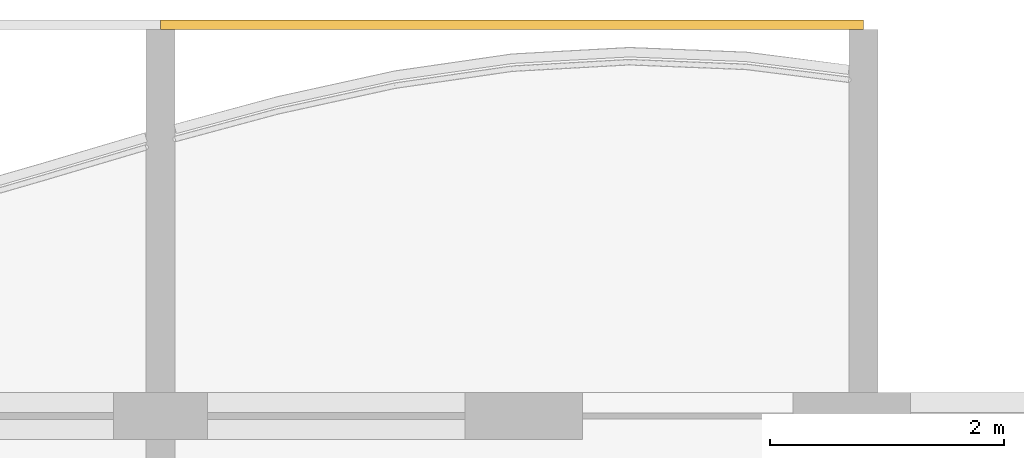
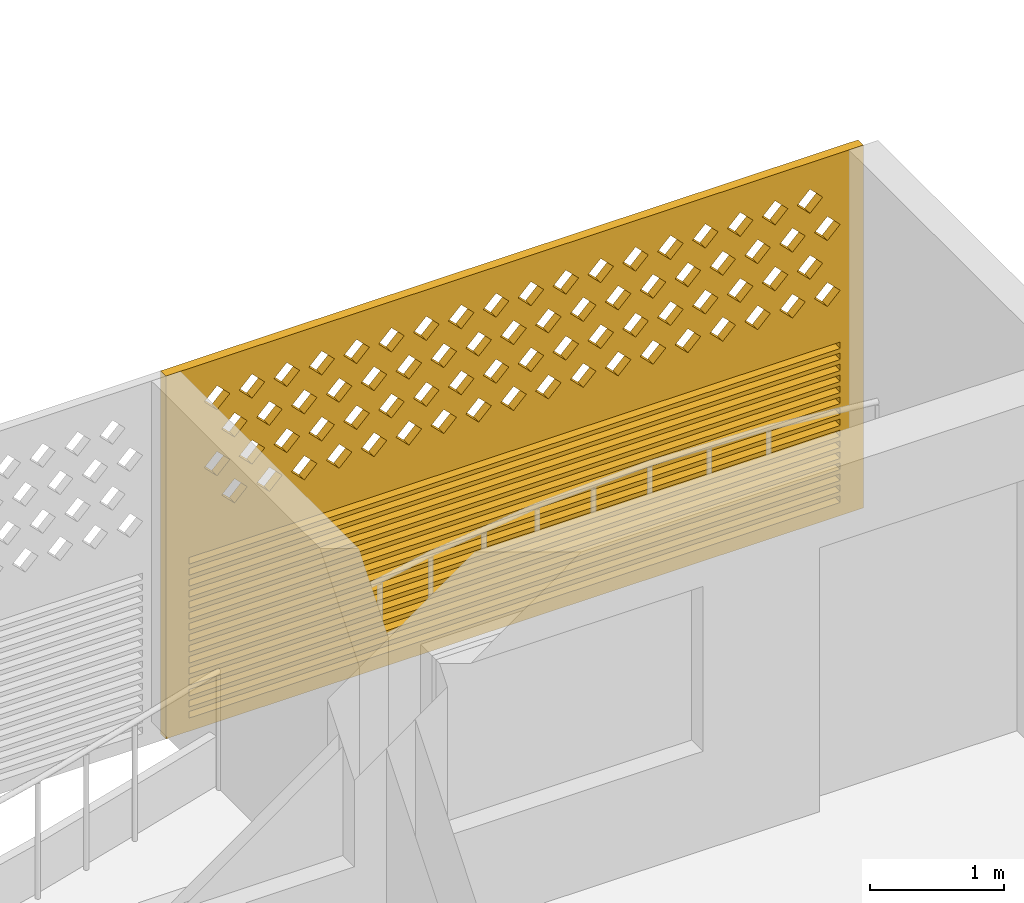
# One storey, part 18 of 26: 1 covering.
"""IFC4 building model written with IfcOpenShell, lengths in metres."""

from ifc_helpers import new_model, si_unit, direction, frame, origin, place, context, subcontext, project, spatial, polyline, outline, extrude, source, transform, mapped, material, material_profile, profile_set, type_object, element, save


model = new_model("IFC4")

# Units and contexts
model_context = context("Model", 3, precision=1e-05, world=origin(), true_north=direction((0.0, 1.0)))
body_context = subcontext(model_context, "Body", "Model", "MODEL_VIEW")
ifc_project = project(units=[si_unit("LENGTHUNIT", "METRE"), si_unit("AREAUNIT", "SQUARE_METRE"), si_unit("VOLUMEUNIT", "CUBIC_METRE"), si_unit("PLANEANGLEUNIT", "RADIAN"), si_unit("MASSUNIT", "GRAM", prefix="KILO")], contexts=[model_context])

# Site, building, storey
site_placement = place(None, origin())
site = spatial("IfcSite", under=ifc_project, at=site_placement, CompositionType="ELEMENT")
building_placement = place(site_placement, origin())
building = spatial("IfcBuilding", under=site, at=building_placement, Name="Poui Terraces", CompositionType="ELEMENT")
storey_placement = place(building_placement, frame((0.0, 0.0, 224.699951171875)))
storey = spatial("IfcBuildingStorey", under=building, at=storey_placement, Name="L62", CompositionType="ELEMENT", Elevation=224.699951171875)

# Covering
ifc_material = material(Name="Terracotta screen", Category="masonry")
ifc_material_profile = material_profile(ifc_material, outline(polyline([(-3.0, -1.64990234375), (3.0, -1.64990234375), (3.0, 1.64990234375), (-3.0, 1.64990234375), (-3.0, -1.64990234375)]), holes=[polyline([(-2.800048828125, 0.39990234375), (-2.68994140625, 0.2900390625), (-2.580078125, 0.39990234375), (-2.68994140625, 0.510009765625), (-2.800048828125, 0.39990234375)]), polyline([(-2.5, 0.39990234375), (-2.389892578125, 0.2900390625), (-2.280029296875, 0.39990234375), (-2.389892578125, 0.510009765625), (-2.5, 0.39990234375)]), polyline([(-2.199951171875, 0.39990234375), (-2.090087890625, 0.2900390625), (-1.97998046875, 0.39990234375), (-2.090087890625, 0.510009765625), (-2.199951171875, 0.39990234375)]), polyline([(-1.89990234375, 0.39990234375), (-1.7900390625, 0.2900390625), (-1.679931640625, 0.39990234375), (-1.7900390625, 0.510009765625), (-1.89990234375, 0.39990234375)]), polyline([(-1.60009765625, 0.39990234375), (-1.489990234375, 0.2900390625), (-1.3798828125, 0.39990234375), (-1.489990234375, 0.510009765625), (-1.60009765625, 0.39990234375)]), polyline([(-1.300048828125, 0.39990234375), (-1.18994140625, 0.2900390625), (-1.080078125, 0.39990234375), (-1.18994140625, 0.510009765625), (-1.300048828125, 0.39990234375)]), polyline([(-1.0, 0.39990234375), (-0.889892578125, 0.2900390625), (-0.780029296875, 0.39990234375), (-0.889892578125, 0.510009765625), (-1.0, 0.39990234375)]), polyline([(-0.699951171875, 0.39990234375), (-0.590087890625, 0.2900390625), (-0.47998046875, 0.39990234375), (-0.590087890625, 0.510009765625), (-0.699951171875, 0.39990234375)]), polyline([(-0.39990234375, 0.39990234375), (-0.2900390625, 0.2900390625), (-0.179931640625, 0.39990234375), (-0.2900390625, 0.510009765625), (-0.39990234375, 0.39990234375)]), polyline([(-0.10009765625, 0.39990234375), (0.010009765625, 0.2900390625), (0.1201171875, 0.39990234375), (0.010009765625, 0.510009765625), (-0.10009765625, 0.39990234375)]), polyline([(0.199951171875, 0.39990234375), (0.31005859375, 0.2900390625), (0.419921875, 0.39990234375), (0.31005859375, 0.510009765625), (0.199951171875, 0.39990234375)]), polyline([(0.5, 0.39990234375), (0.610107421875, 0.2900390625), (0.719970703125, 0.39990234375), (0.610107421875, 0.510009765625), (0.5, 0.39990234375)]), polyline([(0.800048828125, 0.39990234375), (0.909912109375, 0.2900390625), (1.02001953125, 0.39990234375), (0.909912109375, 0.510009765625), (0.800048828125, 0.39990234375)]), polyline([(1.10009765625, 0.39990234375), (1.2099609375, 0.2900390625), (1.320068359375, 0.39990234375), (1.2099609375, 0.510009765625), (1.10009765625, 0.39990234375)]), polyline([(1.39990234375, 0.39990234375), (1.510009765625, 0.2900390625), (1.6201171875, 0.39990234375), (1.510009765625, 0.510009765625), (1.39990234375, 0.39990234375)]), polyline([(1.699951171875, 0.39990234375), (1.81005859375, 0.2900390625), (1.919921875, 0.39990234375), (1.81005859375, 0.510009765625), (1.699951171875, 0.39990234375)]), polyline([(2.0, 0.39990234375), (2.110107421875, 0.2900390625), (2.219970703125, 0.39990234375), (2.110107421875, 0.510009765625), (2.0, 0.39990234375)]), polyline([(2.300048828125, 0.39990234375), (2.409912109375, 0.2900390625), (2.52001953125, 0.39990234375), (2.409912109375, 0.510009765625), (2.300048828125, 0.39990234375)]), polyline([(-2.64990234375, 0.699951171875), (-2.5400390625, 0.590087890625), (-2.429931640625, 0.699951171875), (-2.5400390625, 0.81005859375), (-2.64990234375, 0.699951171875)]), polyline([(-2.35009765625, 0.699951171875), (-2.239990234375, 0.590087890625), (-2.1298828125, 0.699951171875), (-2.239990234375, 0.81005859375), (-2.35009765625, 0.699951171875)]), polyline([(-2.050048828125, 0.699951171875), (-1.93994140625, 0.590087890625), (-1.830078125, 0.699951171875), (-1.93994140625, 0.81005859375), (-2.050048828125, 0.699951171875)]), polyline([(-1.75, 0.699951171875), (-1.639892578125, 0.590087890625), (-1.530029296875, 0.699951171875), (-1.639892578125, 0.81005859375), (-1.75, 0.699951171875)]), polyline([(-1.449951171875, 0.699951171875), (-1.340087890625, 0.590087890625), (-1.22998046875, 0.699951171875), (-1.340087890625, 0.81005859375), (-1.449951171875, 0.699951171875)]), polyline([(-1.14990234375, 0.699951171875), (-1.0400390625, 0.590087890625), (-0.929931640625, 0.699951171875), (-1.0400390625, 0.81005859375), (-1.14990234375, 0.699951171875)]), polyline([(-0.85009765625, 0.699951171875), (-0.739990234375, 0.590087890625), (-0.6298828125, 0.699951171875), (-0.739990234375, 0.81005859375), (-0.85009765625, 0.699951171875)]), polyline([(-0.550048828125, 0.699951171875), (-0.43994140625, 0.590087890625), (-0.330078125, 0.699951171875), (-0.43994140625, 0.81005859375), (-0.550048828125, 0.699951171875)]), polyline([(-0.25, 0.699951171875), (-0.139892578125, 0.590087890625), (-0.030029296875, 0.699951171875), (-0.139892578125, 0.81005859375), (-0.25, 0.699951171875)]), polyline([(0.050048828125, 0.699951171875), (0.159912109375, 0.590087890625), (0.27001953125, 0.699951171875), (0.159912109375, 0.81005859375), (0.050048828125, 0.699951171875)]), polyline([(0.35009765625, 0.699951171875), (0.4599609375, 0.590087890625), (0.570068359375, 0.699951171875), (0.4599609375, 0.81005859375), (0.35009765625, 0.699951171875)]), polyline([(0.64990234375, 0.699951171875), (0.760009765625, 0.590087890625), (0.8701171875, 0.699951171875), (0.760009765625, 0.81005859375), (0.64990234375, 0.699951171875)]), polyline([(0.949951171875, 0.699951171875), (1.06005859375, 0.590087890625), (1.169921875, 0.699951171875), (1.06005859375, 0.81005859375), (0.949951171875, 0.699951171875)]), polyline([(1.25, 0.699951171875), (1.360107421875, 0.590087890625), (1.469970703125, 0.699951171875), (1.360107421875, 0.81005859375), (1.25, 0.699951171875)]), polyline([(1.550048828125, 0.699951171875), (1.659912109375, 0.590087890625), (1.77001953125, 0.699951171875), (1.659912109375, 0.81005859375), (1.550048828125, 0.699951171875)]), polyline([(1.85009765625, 0.699951171875), (1.9599609375, 0.590087890625), (2.070068359375, 0.699951171875), (1.9599609375, 0.81005859375), (1.85009765625, 0.699951171875)]), polyline([(2.14990234375, 0.699951171875), (2.260009765625, 0.590087890625), (2.3701171875, 0.699951171875), (2.260009765625, 0.81005859375), (2.14990234375, 0.699951171875)]), polyline([(2.449951171875, 0.699951171875), (2.56005859375, 0.590087890625), (2.669921875, 0.699951171875), (2.56005859375, 0.81005859375), (2.449951171875, 0.699951171875)]), polyline([(-2.800048828125, 1.0), (-2.68994140625, 0.889892578125), (-2.580078125, 1.0), (-2.68994140625, 1.110107421875), (-2.800048828125, 1.0)]), polyline([(-2.5, 1.0), (-2.389892578125, 0.889892578125), (-2.280029296875, 1.0), (-2.389892578125, 1.110107421875), (-2.5, 1.0)]), polyline([(-2.199951171875, 1.0), (-2.090087890625, 0.889892578125), (-1.97998046875, 1.0), (-2.090087890625, 1.110107421875), (-2.199951171875, 1.0)]), polyline([(-1.89990234375, 1.0), (-1.7900390625, 0.889892578125), (-1.679931640625, 1.0), (-1.7900390625, 1.110107421875), (-1.89990234375, 1.0)]), polyline([(-1.60009765625, 1.0), (-1.489990234375, 0.889892578125), (-1.3798828125, 1.0), (-1.489990234375, 1.110107421875), (-1.60009765625, 1.0)]), polyline([(-1.300048828125, 1.0), (-1.18994140625, 0.889892578125), (-1.080078125, 1.0), (-1.18994140625, 1.110107421875), (-1.300048828125, 1.0)]), polyline([(-1.0, 1.0), (-0.889892578125, 0.889892578125), (-0.780029296875, 1.0), (-0.889892578125, 1.110107421875), (-1.0, 1.0)]), polyline([(-0.699951171875, 1.0), (-0.590087890625, 0.889892578125), (-0.47998046875, 1.0), (-0.590087890625, 1.110107421875), (-0.699951171875, 1.0)]), polyline([(-0.39990234375, 1.0), (-0.2900390625, 0.889892578125), (-0.179931640625, 1.0), (-0.2900390625, 1.110107421875), (-0.39990234375, 1.0)]), polyline([(-0.10009765625, 1.0), (0.010009765625, 0.889892578125), (0.1201171875, 1.0), (0.010009765625, 1.110107421875), (-0.10009765625, 1.0)]), polyline([(0.199951171875, 1.0), (0.31005859375, 0.889892578125), (0.419921875, 1.0), (0.31005859375, 1.110107421875), (0.199951171875, 1.0)]), polyline([(0.5, 1.0), (0.610107421875, 0.889892578125), (0.719970703125, 1.0), (0.610107421875, 1.110107421875), (0.5, 1.0)]), polyline([(0.800048828125, 1.0), (0.909912109375, 0.889892578125), (1.02001953125, 1.0), (0.909912109375, 1.110107421875), (0.800048828125, 1.0)]), polyline([(1.10009765625, 1.0), (1.2099609375, 0.889892578125), (1.320068359375, 1.0), (1.2099609375, 1.110107421875), (1.10009765625, 1.0)]), polyline([(1.39990234375, 1.0), (1.510009765625, 0.889892578125), (1.6201171875, 1.0), (1.510009765625, 1.110107421875), (1.39990234375, 1.0)]), polyline([(1.699951171875, 1.0), (1.81005859375, 0.889892578125), (1.919921875, 1.0), (1.81005859375, 1.110107421875), (1.699951171875, 1.0)]), polyline([(2.0, 1.0), (2.110107421875, 0.889892578125), (2.219970703125, 1.0), (2.110107421875, 1.110107421875), (2.0, 1.0)]), polyline([(2.300048828125, 1.0), (2.409912109375, 0.889892578125), (2.52001953125, 1.0), (2.409912109375, 1.110107421875), (2.300048828125, 1.0)]), polyline([(-2.64990234375, 1.300048828125), (-2.5400390625, 1.18994140625), (-2.429931640625, 1.300048828125), (-2.5400390625, 1.409912109375), (-2.64990234375, 1.300048828125)]), polyline([(-2.35009765625, 1.300048828125), (-2.239990234375, 1.18994140625), (-2.1298828125, 1.300048828125), (-2.239990234375, 1.409912109375), (-2.35009765625, 1.300048828125)]), polyline([(-2.050048828125, 1.300048828125), (-1.93994140625, 1.18994140625), (-1.830078125, 1.300048828125), (-1.93994140625, 1.409912109375), (-2.050048828125, 1.300048828125)]), polyline([(-1.75, 1.300048828125), (-1.639892578125, 1.18994140625), (-1.530029296875, 1.300048828125), (-1.639892578125, 1.409912109375), (-1.75, 1.300048828125)]), polyline([(-1.449951171875, 1.300048828125), (-1.340087890625, 1.18994140625), (-1.22998046875, 1.300048828125), (-1.340087890625, 1.409912109375), (-1.449951171875, 1.300048828125)]), polyline([(-1.14990234375, 1.300048828125), (-1.0400390625, 1.18994140625), (-0.929931640625, 1.300048828125), (-1.0400390625, 1.409912109375), (-1.14990234375, 1.300048828125)]), polyline([(-0.85009765625, 1.300048828125), (-0.739990234375, 1.18994140625), (-0.6298828125, 1.300048828125), (-0.739990234375, 1.409912109375), (-0.85009765625, 1.300048828125)]), polyline([(-0.550048828125, 1.300048828125), (-0.43994140625, 1.18994140625), (-0.330078125, 1.300048828125), (-0.43994140625, 1.409912109375), (-0.550048828125, 1.300048828125)]), polyline([(-0.25, 1.300048828125), (-0.139892578125, 1.18994140625), (-0.030029296875, 1.300048828125), (-0.139892578125, 1.409912109375), (-0.25, 1.300048828125)]), polyline([(0.050048828125, 1.300048828125), (0.159912109375, 1.18994140625), (0.27001953125, 1.300048828125), (0.159912109375, 1.409912109375), (0.050048828125, 1.300048828125)]), polyline([(0.35009765625, 1.300048828125), (0.4599609375, 1.18994140625), (0.570068359375, 1.300048828125), (0.4599609375, 1.409912109375), (0.35009765625, 1.300048828125)]), polyline([(0.64990234375, 1.300048828125), (0.760009765625, 1.18994140625), (0.8701171875, 1.300048828125), (0.760009765625, 1.409912109375), (0.64990234375, 1.300048828125)]), polyline([(0.949951171875, 1.300048828125), (1.06005859375, 1.18994140625), (1.169921875, 1.300048828125), (1.06005859375, 1.409912109375), (0.949951171875, 1.300048828125)]), polyline([(1.25, 1.300048828125), (1.360107421875, 1.18994140625), (1.469970703125, 1.300048828125), (1.360107421875, 1.409912109375), (1.25, 1.300048828125)]), polyline([(1.550048828125, 1.300048828125), (1.659912109375, 1.18994140625), (1.77001953125, 1.300048828125), (1.659912109375, 1.409912109375), (1.550048828125, 1.300048828125)]), polyline([(1.85009765625, 1.300048828125), (1.9599609375, 1.18994140625), (2.070068359375, 1.300048828125), (1.9599609375, 1.409912109375), (1.85009765625, 1.300048828125)]), polyline([(2.14990234375, 1.300048828125), (2.260009765625, 1.18994140625), (2.3701171875, 1.300048828125), (2.260009765625, 1.409912109375), (2.14990234375, 1.300048828125)]), polyline([(2.449951171875, 1.300048828125), (2.56005859375, 1.18994140625), (2.669921875, 1.300048828125), (2.56005859375, 1.409912109375), (2.449951171875, 1.300048828125)]), polyline([(-2.800048828125, -1.530029296875), (2.800048828125, -1.530029296875), (2.800048828125, -1.469970703125), (-2.800048828125, -1.469970703125), (-2.800048828125, -1.530029296875)]), polyline([(-2.800048828125, -1.429931640625), (2.800048828125, -1.429931640625), (2.800048828125, -1.3701171875), (-2.800048828125, -1.3701171875), (-2.800048828125, -1.429931640625)]), polyline([(-2.800048828125, -1.330078125), (2.800048828125, -1.330078125), (2.800048828125, -1.27001953125), (-2.800048828125, -1.27001953125), (-2.800048828125, -1.330078125)]), polyline([(-2.800048828125, -1.22998046875), (2.800048828125, -1.22998046875), (2.800048828125, -1.169921875), (-2.800048828125, -1.169921875), (-2.800048828125, -1.22998046875)]), polyline([(-2.800048828125, -1.1298828125), (2.800048828125, -1.1298828125), (2.800048828125, -1.070068359375), (-2.800048828125, -1.070068359375), (-2.800048828125, -1.1298828125)]), polyline([(-2.800048828125, -1.030029296875), (2.800048828125, -1.030029296875), (2.800048828125, -0.969970703125), (-2.800048828125, -0.969970703125), (-2.800048828125, -1.030029296875)]), polyline([(-2.800048828125, -0.929931640625), (2.800048828125, -0.929931640625), (2.800048828125, -0.8701171875), (-2.800048828125, -0.8701171875), (-2.800048828125, -0.929931640625)]), polyline([(-2.800048828125, -0.830078125), (2.800048828125, -0.830078125), (2.800048828125, -0.77001953125), (-2.800048828125, -0.77001953125), (-2.800048828125, -0.830078125)]), polyline([(-2.800048828125, -0.72998046875), (2.800048828125, -0.72998046875), (2.800048828125, -0.669921875), (-2.800048828125, -0.669921875), (-2.800048828125, -0.72998046875)]), polyline([(-2.800048828125, -0.6298828125), (2.800048828125, -0.6298828125), (2.800048828125, -0.570068359375), (-2.800048828125, -0.570068359375), (-2.800048828125, -0.6298828125)]), polyline([(-2.800048828125, -0.530029296875), (2.800048828125, -0.530029296875), (2.800048828125, -0.469970703125), (-2.800048828125, -0.469970703125), (-2.800048828125, -0.530029296875)]), polyline([(-2.800048828125, -0.429931640625), (2.800048828125, -0.429931640625), (2.800048828125, -0.3701171875), (-2.800048828125, -0.3701171875), (-2.800048828125, -0.429931640625)]), polyline([(-2.800048828125, -0.330078125), (2.800048828125, -0.330078125), (2.800048828125, -0.27001953125), (-2.800048828125, -0.27001953125), (-2.800048828125, -0.330078125)]), polyline([(-2.800048828125, -0.22998046875), (2.800048828125, -0.22998046875), (2.800048828125, -0.169921875), (-2.800048828125, -0.169921875), (-2.800048828125, -0.22998046875)]), polyline([(-2.800048828125, -0.1298828125), (2.800048828125, -0.1298828125), (2.800048828125, -0.070068359375), (-2.800048828125, -0.070068359375), (-2.800048828125, -0.1298828125)])]), Name="TERRACOTTA SCREEN AND JALOUSIE LOUVRE 6000X3300")
ifc_profile_set = profile_set([ifc_material_profile], Name="Terracotta screen")
covering_type = type_object("IfcCoveringType", Name="TERRACOTTA SCREEN AND JALOUSIE LOUVRE 6000X3300", PredefinedType="CLADDING", material=ifc_profile_set)
shared_shape = source(origin(), body_context, "Body", "SweptSolid", [
    extrude(outline(polyline([(-3.0, -1.64990234375), (3.0, -1.64990234375), (3.0, 1.64990234375), (-3.0, 1.64990234375), (-3.0, -1.64990234375)]), holes=[polyline([(-2.800048828125, 0.39990234375), (-2.68994140625, 0.2900390625), (-2.580078125, 0.39990234375), (-2.68994140625, 0.510009765625), (-2.800048828125, 0.39990234375)]), polyline([(-2.5, 0.39990234375), (-2.389892578125, 0.2900390625), (-2.280029296875, 0.39990234375), (-2.389892578125, 0.510009765625), (-2.5, 0.39990234375)]), polyline([(-2.199951171875, 0.39990234375), (-2.090087890625, 0.2900390625), (-1.97998046875, 0.39990234375), (-2.090087890625, 0.510009765625), (-2.199951171875, 0.39990234375)]), polyline([(-1.89990234375, 0.39990234375), (-1.7900390625, 0.2900390625), (-1.679931640625, 0.39990234375), (-1.7900390625, 0.510009765625), (-1.89990234375, 0.39990234375)]), polyline([(-1.60009765625, 0.39990234375), (-1.489990234375, 0.2900390625), (-1.3798828125, 0.39990234375), (-1.489990234375, 0.510009765625), (-1.60009765625, 0.39990234375)]), polyline([(-1.300048828125, 0.39990234375), (-1.18994140625, 0.2900390625), (-1.080078125, 0.39990234375), (-1.18994140625, 0.510009765625), (-1.300048828125, 0.39990234375)]), polyline([(-1.0, 0.39990234375), (-0.889892578125, 0.2900390625), (-0.780029296875, 0.39990234375), (-0.889892578125, 0.510009765625), (-1.0, 0.39990234375)]), polyline([(-0.699951171875, 0.39990234375), (-0.590087890625, 0.2900390625), (-0.47998046875, 0.39990234375), (-0.590087890625, 0.510009765625), (-0.699951171875, 0.39990234375)]), polyline([(-0.39990234375, 0.39990234375), (-0.2900390625, 0.2900390625), (-0.179931640625, 0.39990234375), (-0.2900390625, 0.510009765625), (-0.39990234375, 0.39990234375)]), polyline([(-0.10009765625, 0.39990234375), (0.010009765625, 0.2900390625), (0.1201171875, 0.39990234375), (0.010009765625, 0.510009765625), (-0.10009765625, 0.39990234375)]), polyline([(0.199951171875, 0.39990234375), (0.31005859375, 0.2900390625), (0.419921875, 0.39990234375), (0.31005859375, 0.510009765625), (0.199951171875, 0.39990234375)]), polyline([(0.5, 0.39990234375), (0.610107421875, 0.2900390625), (0.719970703125, 0.39990234375), (0.610107421875, 0.510009765625), (0.5, 0.39990234375)]), polyline([(0.800048828125, 0.39990234375), (0.909912109375, 0.2900390625), (1.02001953125, 0.39990234375), (0.909912109375, 0.510009765625), (0.800048828125, 0.39990234375)]), polyline([(1.10009765625, 0.39990234375), (1.2099609375, 0.2900390625), (1.320068359375, 0.39990234375), (1.2099609375, 0.510009765625), (1.10009765625, 0.39990234375)]), polyline([(1.39990234375, 0.39990234375), (1.510009765625, 0.2900390625), (1.6201171875, 0.39990234375), (1.510009765625, 0.510009765625), (1.39990234375, 0.39990234375)]), polyline([(1.699951171875, 0.39990234375), (1.81005859375, 0.2900390625), (1.919921875, 0.39990234375), (1.81005859375, 0.510009765625), (1.699951171875, 0.39990234375)]), polyline([(2.0, 0.39990234375), (2.110107421875, 0.2900390625), (2.219970703125, 0.39990234375), (2.110107421875, 0.510009765625), (2.0, 0.39990234375)]), polyline([(2.300048828125, 0.39990234375), (2.409912109375, 0.2900390625), (2.52001953125, 0.39990234375), (2.409912109375, 0.510009765625), (2.300048828125, 0.39990234375)]), polyline([(-2.64990234375, 0.699951171875), (-2.5400390625, 0.590087890625), (-2.429931640625, 0.699951171875), (-2.5400390625, 0.81005859375), (-2.64990234375, 0.699951171875)]), polyline([(-2.35009765625, 0.699951171875), (-2.239990234375, 0.590087890625), (-2.1298828125, 0.699951171875), (-2.239990234375, 0.81005859375), (-2.35009765625, 0.699951171875)]), polyline([(-2.050048828125, 0.699951171875), (-1.93994140625, 0.590087890625), (-1.830078125, 0.699951171875), (-1.93994140625, 0.81005859375), (-2.050048828125, 0.699951171875)]), polyline([(-1.75, 0.699951171875), (-1.639892578125, 0.590087890625), (-1.530029296875, 0.699951171875), (-1.639892578125, 0.81005859375), (-1.75, 0.699951171875)]), polyline([(-1.449951171875, 0.699951171875), (-1.340087890625, 0.590087890625), (-1.22998046875, 0.699951171875), (-1.340087890625, 0.81005859375), (-1.449951171875, 0.699951171875)]), polyline([(-1.14990234375, 0.699951171875), (-1.0400390625, 0.590087890625), (-0.929931640625, 0.699951171875), (-1.0400390625, 0.81005859375), (-1.14990234375, 0.699951171875)]), polyline([(-0.85009765625, 0.699951171875), (-0.739990234375, 0.590087890625), (-0.6298828125, 0.699951171875), (-0.739990234375, 0.81005859375), (-0.85009765625, 0.699951171875)]), polyline([(-0.550048828125, 0.699951171875), (-0.43994140625, 0.590087890625), (-0.330078125, 0.699951171875), (-0.43994140625, 0.81005859375), (-0.550048828125, 0.699951171875)]), polyline([(-0.25, 0.699951171875), (-0.139892578125, 0.590087890625), (-0.030029296875, 0.699951171875), (-0.139892578125, 0.81005859375), (-0.25, 0.699951171875)]), polyline([(0.050048828125, 0.699951171875), (0.159912109375, 0.590087890625), (0.27001953125, 0.699951171875), (0.159912109375, 0.81005859375), (0.050048828125, 0.699951171875)]), polyline([(0.35009765625, 0.699951171875), (0.4599609375, 0.590087890625), (0.570068359375, 0.699951171875), (0.4599609375, 0.81005859375), (0.35009765625, 0.699951171875)]), polyline([(0.64990234375, 0.699951171875), (0.760009765625, 0.590087890625), (0.8701171875, 0.699951171875), (0.760009765625, 0.81005859375), (0.64990234375, 0.699951171875)]), polyline([(0.949951171875, 0.699951171875), (1.06005859375, 0.590087890625), (1.169921875, 0.699951171875), (1.06005859375, 0.81005859375), (0.949951171875, 0.699951171875)]), polyline([(1.25, 0.699951171875), (1.360107421875, 0.590087890625), (1.469970703125, 0.699951171875), (1.360107421875, 0.81005859375), (1.25, 0.699951171875)]), polyline([(1.550048828125, 0.699951171875), (1.659912109375, 0.590087890625), (1.77001953125, 0.699951171875), (1.659912109375, 0.81005859375), (1.550048828125, 0.699951171875)]), polyline([(1.85009765625, 0.699951171875), (1.9599609375, 0.590087890625), (2.070068359375, 0.699951171875), (1.9599609375, 0.81005859375), (1.85009765625, 0.699951171875)]), polyline([(2.14990234375, 0.699951171875), (2.260009765625, 0.590087890625), (2.3701171875, 0.699951171875), (2.260009765625, 0.81005859375), (2.14990234375, 0.699951171875)]), polyline([(2.449951171875, 0.699951171875), (2.56005859375, 0.590087890625), (2.669921875, 0.699951171875), (2.56005859375, 0.81005859375), (2.449951171875, 0.699951171875)]), polyline([(-2.800048828125, 1.0), (-2.68994140625, 0.889892578125), (-2.580078125, 1.0), (-2.68994140625, 1.110107421875), (-2.800048828125, 1.0)]), polyline([(-2.5, 1.0), (-2.389892578125, 0.889892578125), (-2.280029296875, 1.0), (-2.389892578125, 1.110107421875), (-2.5, 1.0)]), polyline([(-2.199951171875, 1.0), (-2.090087890625, 0.889892578125), (-1.97998046875, 1.0), (-2.090087890625, 1.110107421875), (-2.199951171875, 1.0)]), polyline([(-1.89990234375, 1.0), (-1.7900390625, 0.889892578125), (-1.679931640625, 1.0), (-1.7900390625, 1.110107421875), (-1.89990234375, 1.0)]), polyline([(-1.60009765625, 1.0), (-1.489990234375, 0.889892578125), (-1.3798828125, 1.0), (-1.489990234375, 1.110107421875), (-1.60009765625, 1.0)]), polyline([(-1.300048828125, 1.0), (-1.18994140625, 0.889892578125), (-1.080078125, 1.0), (-1.18994140625, 1.110107421875), (-1.300048828125, 1.0)]), polyline([(-1.0, 1.0), (-0.889892578125, 0.889892578125), (-0.780029296875, 1.0), (-0.889892578125, 1.110107421875), (-1.0, 1.0)]), polyline([(-0.699951171875, 1.0), (-0.590087890625, 0.889892578125), (-0.47998046875, 1.0), (-0.590087890625, 1.110107421875), (-0.699951171875, 1.0)]), polyline([(-0.39990234375, 1.0), (-0.2900390625, 0.889892578125), (-0.179931640625, 1.0), (-0.2900390625, 1.110107421875), (-0.39990234375, 1.0)]), polyline([(-0.10009765625, 1.0), (0.010009765625, 0.889892578125), (0.1201171875, 1.0), (0.010009765625, 1.110107421875), (-0.10009765625, 1.0)]), polyline([(0.199951171875, 1.0), (0.31005859375, 0.889892578125), (0.419921875, 1.0), (0.31005859375, 1.110107421875), (0.199951171875, 1.0)]), polyline([(0.5, 1.0), (0.610107421875, 0.889892578125), (0.719970703125, 1.0), (0.610107421875, 1.110107421875), (0.5, 1.0)]), polyline([(0.800048828125, 1.0), (0.909912109375, 0.889892578125), (1.02001953125, 1.0), (0.909912109375, 1.110107421875), (0.800048828125, 1.0)]), polyline([(1.10009765625, 1.0), (1.2099609375, 0.889892578125), (1.320068359375, 1.0), (1.2099609375, 1.110107421875), (1.10009765625, 1.0)]), polyline([(1.39990234375, 1.0), (1.510009765625, 0.889892578125), (1.6201171875, 1.0), (1.510009765625, 1.110107421875), (1.39990234375, 1.0)]), polyline([(1.699951171875, 1.0), (1.81005859375, 0.889892578125), (1.919921875, 1.0), (1.81005859375, 1.110107421875), (1.699951171875, 1.0)]), polyline([(2.0, 1.0), (2.110107421875, 0.889892578125), (2.219970703125, 1.0), (2.110107421875, 1.110107421875), (2.0, 1.0)]), polyline([(2.300048828125, 1.0), (2.409912109375, 0.889892578125), (2.52001953125, 1.0), (2.409912109375, 1.110107421875), (2.300048828125, 1.0)]), polyline([(-2.64990234375, 1.300048828125), (-2.5400390625, 1.18994140625), (-2.429931640625, 1.300048828125), (-2.5400390625, 1.409912109375), (-2.64990234375, 1.300048828125)]), polyline([(-2.35009765625, 1.300048828125), (-2.239990234375, 1.18994140625), (-2.1298828125, 1.300048828125), (-2.239990234375, 1.409912109375), (-2.35009765625, 1.300048828125)]), polyline([(-2.050048828125, 1.300048828125), (-1.93994140625, 1.18994140625), (-1.830078125, 1.300048828125), (-1.93994140625, 1.409912109375), (-2.050048828125, 1.300048828125)]), polyline([(-1.75, 1.300048828125), (-1.639892578125, 1.18994140625), (-1.530029296875, 1.300048828125), (-1.639892578125, 1.409912109375), (-1.75, 1.300048828125)]), polyline([(-1.449951171875, 1.300048828125), (-1.340087890625, 1.18994140625), (-1.22998046875, 1.300048828125), (-1.340087890625, 1.409912109375), (-1.449951171875, 1.300048828125)]), polyline([(-1.14990234375, 1.300048828125), (-1.0400390625, 1.18994140625), (-0.929931640625, 1.300048828125), (-1.0400390625, 1.409912109375), (-1.14990234375, 1.300048828125)]), polyline([(-0.85009765625, 1.300048828125), (-0.739990234375, 1.18994140625), (-0.6298828125, 1.300048828125), (-0.739990234375, 1.409912109375), (-0.85009765625, 1.300048828125)]), polyline([(-0.550048828125, 1.300048828125), (-0.43994140625, 1.18994140625), (-0.330078125, 1.300048828125), (-0.43994140625, 1.409912109375), (-0.550048828125, 1.300048828125)]), polyline([(-0.25, 1.300048828125), (-0.139892578125, 1.18994140625), (-0.030029296875, 1.300048828125), (-0.139892578125, 1.409912109375), (-0.25, 1.300048828125)]), polyline([(0.050048828125, 1.300048828125), (0.159912109375, 1.18994140625), (0.27001953125, 1.300048828125), (0.159912109375, 1.409912109375), (0.050048828125, 1.300048828125)]), polyline([(0.35009765625, 1.300048828125), (0.4599609375, 1.18994140625), (0.570068359375, 1.300048828125), (0.4599609375, 1.409912109375), (0.35009765625, 1.300048828125)]), polyline([(0.64990234375, 1.300048828125), (0.760009765625, 1.18994140625), (0.8701171875, 1.300048828125), (0.760009765625, 1.409912109375), (0.64990234375, 1.300048828125)]), polyline([(0.949951171875, 1.300048828125), (1.06005859375, 1.18994140625), (1.169921875, 1.300048828125), (1.06005859375, 1.409912109375), (0.949951171875, 1.300048828125)]), polyline([(1.25, 1.300048828125), (1.360107421875, 1.18994140625), (1.469970703125, 1.300048828125), (1.360107421875, 1.409912109375), (1.25, 1.300048828125)]), polyline([(1.550048828125, 1.300048828125), (1.659912109375, 1.18994140625), (1.77001953125, 1.300048828125), (1.659912109375, 1.409912109375), (1.550048828125, 1.300048828125)]), polyline([(1.85009765625, 1.300048828125), (1.9599609375, 1.18994140625), (2.070068359375, 1.300048828125), (1.9599609375, 1.409912109375), (1.85009765625, 1.300048828125)]), polyline([(2.14990234375, 1.300048828125), (2.260009765625, 1.18994140625), (2.3701171875, 1.300048828125), (2.260009765625, 1.409912109375), (2.14990234375, 1.300048828125)]), polyline([(2.449951171875, 1.300048828125), (2.56005859375, 1.18994140625), (2.669921875, 1.300048828125), (2.56005859375, 1.409912109375), (2.449951171875, 1.300048828125)]), polyline([(-2.800048828125, -1.530029296875), (2.800048828125, -1.530029296875), (2.800048828125, -1.469970703125), (-2.800048828125, -1.469970703125), (-2.800048828125, -1.530029296875)]), polyline([(-2.800048828125, -1.429931640625), (2.800048828125, -1.429931640625), (2.800048828125, -1.3701171875), (-2.800048828125, -1.3701171875), (-2.800048828125, -1.429931640625)]), polyline([(-2.800048828125, -1.330078125), (2.800048828125, -1.330078125), (2.800048828125, -1.27001953125), (-2.800048828125, -1.27001953125), (-2.800048828125, -1.330078125)]), polyline([(-2.800048828125, -1.22998046875), (2.800048828125, -1.22998046875), (2.800048828125, -1.169921875), (-2.800048828125, -1.169921875), (-2.800048828125, -1.22998046875)]), polyline([(-2.800048828125, -1.1298828125), (2.800048828125, -1.1298828125), (2.800048828125, -1.070068359375), (-2.800048828125, -1.070068359375), (-2.800048828125, -1.1298828125)]), polyline([(-2.800048828125, -1.030029296875), (2.800048828125, -1.030029296875), (2.800048828125, -0.969970703125), (-2.800048828125, -0.969970703125), (-2.800048828125, -1.030029296875)]), polyline([(-2.800048828125, -0.929931640625), (2.800048828125, -0.929931640625), (2.800048828125, -0.8701171875), (-2.800048828125, -0.8701171875), (-2.800048828125, -0.929931640625)]), polyline([(-2.800048828125, -0.830078125), (2.800048828125, -0.830078125), (2.800048828125, -0.77001953125), (-2.800048828125, -0.77001953125), (-2.800048828125, -0.830078125)]), polyline([(-2.800048828125, -0.72998046875), (2.800048828125, -0.72998046875), (2.800048828125, -0.669921875), (-2.800048828125, -0.669921875), (-2.800048828125, -0.72998046875)]), polyline([(-2.800048828125, -0.6298828125), (2.800048828125, -0.6298828125), (2.800048828125, -0.570068359375), (-2.800048828125, -0.570068359375), (-2.800048828125, -0.6298828125)]), polyline([(-2.800048828125, -0.530029296875), (2.800048828125, -0.530029296875), (2.800048828125, -0.469970703125), (-2.800048828125, -0.469970703125), (-2.800048828125, -0.530029296875)]), polyline([(-2.800048828125, -0.429931640625), (2.800048828125, -0.429931640625), (2.800048828125, -0.3701171875), (-2.800048828125, -0.3701171875), (-2.800048828125, -0.429931640625)]), polyline([(-2.800048828125, -0.330078125), (2.800048828125, -0.330078125), (2.800048828125, -0.27001953125), (-2.800048828125, -0.27001953125), (-2.800048828125, -0.330078125)]), polyline([(-2.800048828125, -0.22998046875), (2.800048828125, -0.22998046875), (2.800048828125, -0.169921875), (-2.800048828125, -0.169921875), (-2.800048828125, -0.22998046875)]), polyline([(-2.800048828125, -0.1298828125), (2.800048828125, -0.1298828125), (2.800048828125, -0.070068359375), (-2.800048828125, -0.070068359375), (-2.800048828125, -0.1298828125)])]), origin(), (0.0, 0.0, 1.0), 0.080078125),
])
covering_placement = place(storey_placement, frame((39.0, 44.5, 1.449951171875), z_axis=(0.0, 1.0, 0.0), x_axis=(-1.0, 0.0, 0.0)))
element("IfcCovering", 1, at=covering_placement, inside=storey, type_object=covering_type, Name="SOLAR SCREEN AND JALOUSIE LOUVRE", PredefinedType="CLADDING", context=body_context, shape_type="MappedRepresentation", body=[
    mapped(shared_shape, transform((0.0, 0.0, 0.0))),
])

save(model, "model.ifc")
